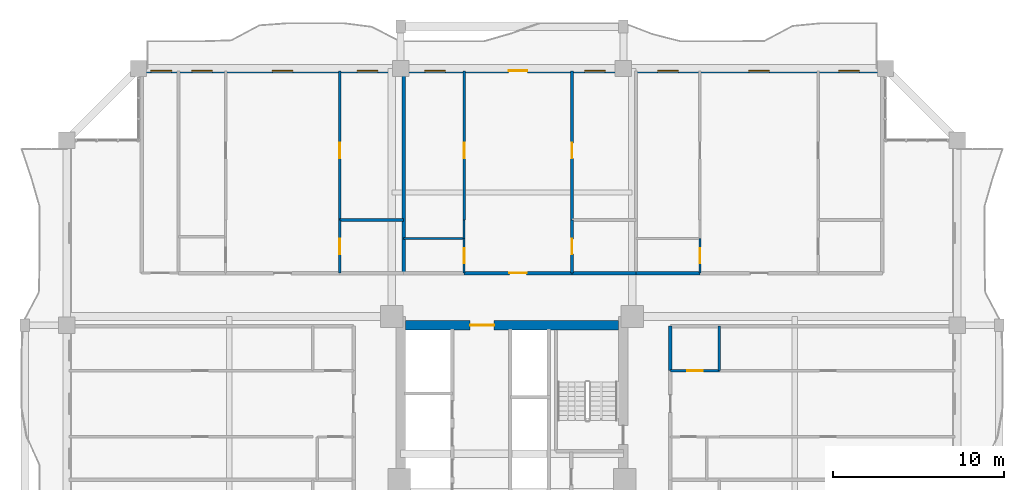
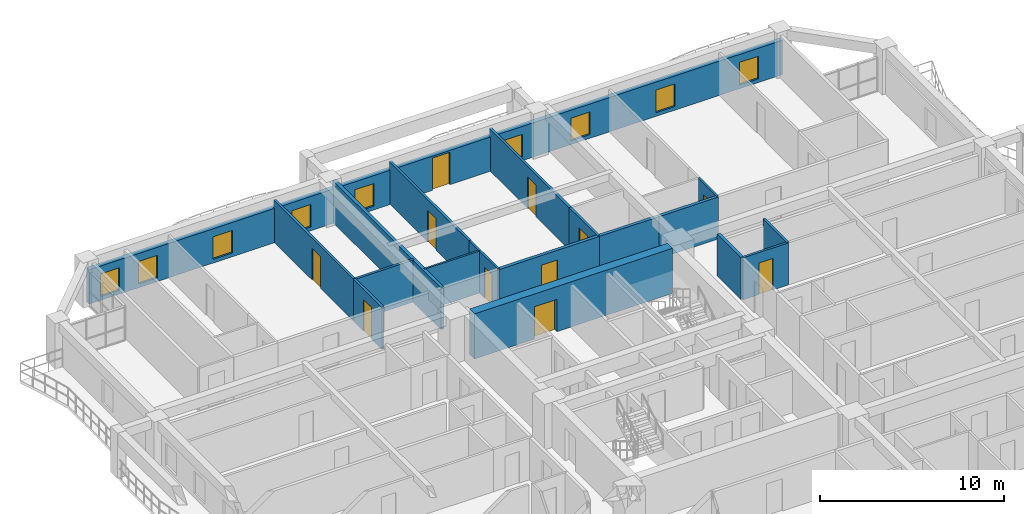
# One storey, part 19 of 25: 19 walls, 11 doors, 9 windows, 20 openings.
"""IFC4 building model written with IfcOpenShell, lengths in metres."""

from ifc_helpers import new_model, si_unit, direction, frame, frame_2d, origin, place, context, subcontext, project, spatial, rectangle, extrude, source, transform, mapped, material, layer, layer_set, type_object, element, fill, save


model = new_model("IFC4")

# Units and contexts
model_context = context("Model", 3, precision=1e-05, world=origin(), true_north=direction((0.0, 1.0)))
body_context = subcontext(model_context, "Body", "Model", "MODEL_VIEW")
ifc_project = project(units=[si_unit("LENGTHUNIT", "METRE"), si_unit("AREAUNIT", "SQUARE_METRE"), si_unit("VOLUMEUNIT", "CUBIC_METRE"), si_unit("PLANEANGLEUNIT", "RADIAN"), si_unit("MASSUNIT", "GRAM", prefix="KILO")], contexts=[model_context])

# Site, building, storey
site_placement = place(None, origin())
site = spatial("IfcSite", under=ifc_project, at=site_placement, CompositionType="ELEMENT")
building_placement = place(site_placement, origin())
building = spatial("IfcBuilding", under=site, at=building_placement, Name="Saelheon Loggia Tower", CompositionType="ELEMENT")
storey_placement = place(building_placement, frame((0.0, 0.0, 80.85009765625)))
storey = spatial("IfcBuildingStorey", under=building, at=storey_placement, Name="L25", CompositionType="ELEMENT", Elevation=80.85009765625)

# Wall, opening, door
ifc_material_1 = material(Name="Concrete C50/60", Category="concrete")
ifc_layer_1 = layer(ifc_material_1, 0.550048828125)
ifc_layer_set_1 = layer_set([ifc_layer_1], Name="Concrete C50/60")
wall_type_1 = type_object("IfcWallType", Name="Wall_CoreShear_550", PredefinedType="SHEAR", material=ifc_layer_set_1)
wall_1_placement = place(storey_placement, frame((31.77490234375, 36.0, 0.0), z_axis=(0.0, 0.0, 1.0), x_axis=(1.0, 0.0, 0.0)))
wall_1 = element("IfcWall", 1, at=wall_1_placement, inside=storey, type_object=wall_type_1, Name="L25 Core Shear Wall North", PredefinedType="SHEAR", context=body_context, shape_type="SweptSolid", body=[
    extrude(rectangle(XDim=12.4501953125, YDim=0.550048828125, at=frame_2d((6.22509765625, 0.0))), origin(), (0.0, 0.0, 1.0), 3.0),
])
opening_1_placement = place(wall_1_placement, frame((5.1748046875, 0.0, 0.0), z_axis=(0.0, 0.0, 1.0), x_axis=(-1.0, 0.0, 0.0)))
opening_1 = element("IfcOpeningElement", 2, at=opening_1_placement, cuts=wall_1, Name="Opening D-FD2L", PredefinedType="OPENING", context=body_context, shape_type="SweptSolid", body=[
    extrude(rectangle(XDim=1.39990234375, YDim=2.14990234375, at=frame_2d((0.699951171875, 1.074951171875))), frame((0.0, 0.287109375, 0.0), z_axis=(0.0, -1.0, 0.0), x_axis=(1.0, 0.0, 0.0)), (0.0, 0.0, 1.0), 0.573974609375),
])
ifc_material_2 = material(Name="Galvanised Steel Glazed Lobby Fire Door", Category="steel")
door_type_1 = type_object("IfcDoorType", Name="Door_Fire_FD60_1400", OperationType="NOTDEFINED", PredefinedType="DOOR", material=ifc_material_2)
shared_shape_1 = source(origin(), body_context, "Body", "SweptSolid", [
    extrude(rectangle(XDim=1.39990234375, YDim=2.14990234375, at=frame_2d((0.699951171875, 1.074951171875))), frame((0.0, 0.02490234375, 0.0), z_axis=(0.0, -1.0, 0.0), x_axis=(1.0, 0.0, 0.0)), (0.0, 0.0, 1.0), 0.050048828125),
])
door_1_placement = place(opening_1_placement, origin())
door_1 = element("IfcDoor", 3, at=door_1_placement, inside=storey, type_object=door_type_1, Name="L25 Passenger Lift Lobby Main Door", OperationType="SINGLE_SWING_RIGHT", OverallHeight=2.14990234375, OverallWidth=1.39990234375, PredefinedType="DOOR", context=body_context, shape_type="MappedRepresentation", body=[
    mapped(shared_shape_1, transform((0.0, 0.0, 0.0), scale=1.0)),
])
fill(opening_1, door_1)

# Wall, openings, windows, door
ifc_material_3 = material(Name="Architectural Precast Concrete C40/50", Category="concrete")
ifc_layer_2 = layer(ifc_material_3, 0.280029296875)
ifc_layer_set_2 = layer_set([ifc_layer_2], Name="Architectural Precast Concrete C40/50")
wall_type_2 = type_object("IfcWallType", Name="Wall_Ext_Loggia_280", PredefinedType="SOLIDWALL", material=ifc_layer_set_2)
wall_2_placement = place(storey_placement, frame((16.199951171875, 50.860107421875, 0.0), z_axis=(0.0, 0.0, 1.0), x_axis=(1.0, 0.0, 0.0)))
wall_2 = element("IfcWall", 4, at=wall_2_placement, inside=storey, type_object=wall_type_2, Name="L25 North Loggia Inner Wall", PredefinedType="SOLIDWALL", context=body_context, shape_type="SweptSolid", body=[
    extrude(rectangle(XDim=43.60009765625, YDim=0.280029296875, at=frame_2d((21.800048828125, 0.0))), origin(), (0.0, 0.0, 1.0), 2.27978515625),
])
opening_2_placement = place(wall_2_placement, frame((0.722412109375, 0.0, 0.25)))
opening_2 = element("IfcOpeningElement", 5, at=opening_2_placement, cuts=wall_2, Name="Opening WN-03", PredefinedType="OPENING", context=body_context, shape_type="SweptSolid", body=[
    extrude(rectangle(XDim=1.199951171875, YDim=1.5, at=frame_2d((0.60009765625, 0.75))), frame((0.0, 0.152099609375, 0.0), z_axis=(0.0, -1.0, 0.0), x_axis=(1.0, 0.0, 0.0)), (0.0, 0.0, 1.0), 0.303955078125),
])
opening_3_placement = place(wall_2_placement, frame((3.10498046875, 0.0, 0.25)))
opening_3 = element("IfcOpeningElement", 6, at=opening_3_placement, cuts=wall_2, Name="Opening WN-03", PredefinedType="OPENING", context=body_context, shape_type="SweptSolid", body=[
    extrude(rectangle(XDim=1.199951171875, YDim=1.5, at=frame_2d((0.60009765625, 0.75))), frame((0.0, 0.152099609375, 0.0), z_axis=(0.0, -1.0, 0.0), x_axis=(1.0, 0.0, 0.0)), (0.0, 0.0, 1.0), 0.303955078125),
])
opening_4_placement = place(wall_2_placement, frame((7.8115234375, 0.0, 0.25)))
opening_4 = element("IfcOpeningElement", 7, at=opening_4_placement, cuts=wall_2, Name="Opening WN-03", PredefinedType="OPENING", context=body_context, shape_type="SweptSolid", body=[
    extrude(rectangle(XDim=1.199951171875, YDim=1.5, at=frame_2d((0.60009765625, 0.75))), frame((0.0, 0.152099609375, 0.0), z_axis=(0.0, -1.0, 0.0), x_axis=(1.0, 0.0, 0.0)), (0.0, 0.0, 1.0), 0.303955078125),
])
opening_5_placement = place(wall_2_placement, frame((12.76416015625, 0.0, 0.25)))
opening_5 = element("IfcOpeningElement", 8, at=opening_5_placement, cuts=wall_2, Name="Opening WN-03", PredefinedType="OPENING", context=body_context, shape_type="SweptSolid", body=[
    extrude(rectangle(XDim=1.199951171875, YDim=1.5, at=frame_2d((0.60009765625, 0.75))), frame((0.0, 0.152099609375, 0.0), z_axis=(0.0, -1.0, 0.0), x_axis=(1.0, 0.0, 0.0)), (0.0, 0.0, 1.0), 0.303955078125),
])
opening_6_placement = place(wall_2_placement, frame((16.709716796875, 0.0, 0.25)))
opening_6 = element("IfcOpeningElement", 9, at=opening_6_placement, cuts=wall_2, Name="Opening WN-03", PredefinedType="OPENING", context=body_context, shape_type="SweptSolid", body=[
    extrude(rectangle(XDim=1.199951171875, YDim=1.5, at=frame_2d((0.60009765625, 0.75))), frame((0.0, 0.152099609375, 0.0), z_axis=(0.0, -1.0, 0.0), x_axis=(1.0, 0.0, 0.0)), (0.0, 0.0, 1.0), 0.303955078125),
])
opening_7_placement = place(wall_2_placement, frame((21.603515625, 0.0, 0.0)))
opening_7 = element("IfcOpeningElement", 10, at=opening_7_placement, cuts=wall_2, Name="Opening TD1", PredefinedType="OPENING", context=body_context, shape_type="SweptSolid", body=[
    extrude(rectangle(XDim=1.10009765625, YDim=2.14990234375, at=frame_2d((0.550048828125, 1.074951171875))), frame((0.0, 0.152099609375, 0.0), z_axis=(0.0, -1.0, 0.0), x_axis=(1.0, 0.0, 0.0)), (0.0, 0.0, 1.0), 0.303955078125),
])
opening_8_placement = place(wall_2_placement, frame((26.0439453125, 0.0, 0.25)))
opening_8 = element("IfcOpeningElement", 11, at=opening_8_placement, cuts=wall_2, Name="Opening WN-03", PredefinedType="OPENING", context=body_context, shape_type="SweptSolid", body=[
    extrude(rectangle(XDim=1.199951171875, YDim=1.5, at=frame_2d((0.60009765625, 0.75))), frame((0.0, 0.152099609375, 0.0), z_axis=(0.0, -1.0, 0.0), x_axis=(1.0, 0.0, 0.0)), (0.0, 0.0, 1.0), 0.303955078125),
])
opening_9_placement = place(wall_2_placement, frame((30.306396484375, 0.0, 0.25)))
opening_9 = element("IfcOpeningElement", 12, at=opening_9_placement, cuts=wall_2, Name="Opening WN-03", PredefinedType="OPENING", context=body_context, shape_type="SweptSolid", body=[
    extrude(rectangle(XDim=1.199951171875, YDim=1.5, at=frame_2d((0.60009765625, 0.75))), frame((0.0, 0.152099609375, 0.0), z_axis=(0.0, -1.0, 0.0), x_axis=(1.0, 0.0, 0.0)), (0.0, 0.0, 1.0), 0.303955078125),
])
opening_10_placement = place(wall_2_placement, frame((35.629150390625, 0.0, 0.25)))
opening_10 = element("IfcOpeningElement", 13, at=opening_10_placement, cuts=wall_2, Name="Opening WN-03", PredefinedType="OPENING", context=body_context, shape_type="SweptSolid", body=[
    extrude(rectangle(XDim=1.199951171875, YDim=1.5, at=frame_2d((0.60009765625, 0.75))), frame((0.0, 0.152099609375, 0.0), z_axis=(0.0, -1.0, 0.0), x_axis=(1.0, 0.0, 0.0)), (0.0, 0.0, 1.0), 0.303955078125),
])
opening_11_placement = place(wall_2_placement, frame((40.884765625, 0.0, 0.25)))
opening_11 = element("IfcOpeningElement", 14, at=opening_11_placement, cuts=wall_2, Name="Opening WN-03", PredefinedType="OPENING", context=body_context, shape_type="SweptSolid", body=[
    extrude(rectangle(XDim=1.199951171875, YDim=1.5, at=frame_2d((0.60009765625, 0.75))), frame((0.0, 0.152099609375, 0.0), z_axis=(0.0, -1.0, 0.0), x_axis=(1.0, 0.0, 0.0)), (0.0, 0.0, 1.0), 0.303955078125),
])
ifc_material_4 = material(Name="Thermal-Break Aluminium and Triple Low-E Glass", Category="aluminium")
window_type = type_object("IfcWindowType", Name="Win_Bedroom_1200x1500", PartitioningType="SINGLE_PANEL", PredefinedType="WINDOW", material=ifc_material_4)
shared_shape_2 = source(origin(), body_context, "Body", "SweptSolid", [
    extrude(rectangle(XDim=1.199951171875, YDim=1.5, at=frame_2d((0.60009765625, 0.75))), frame((0.0, 0.030029296875, 0.0), z_axis=(0.0, -1.0, 0.0), x_axis=(1.0, 0.0, 0.0)), (0.0, 0.0, 1.0), 0.06005859375),
])
window_1_placement = place(opening_2_placement, origin())
window_1 = element("IfcWindow", 15, at=window_1_placement, inside=storey, type_object=window_type, Name="L25 N Dwelling Window 1", OverallHeight=1.5, OverallWidth=1.199951171875, PartitioningType="SINGLE_PANEL", PredefinedType="WINDOW", context=body_context, shape_type="MappedRepresentation", body=[
    mapped(shared_shape_2, transform((0.0, 0.0, 0.0), scale=1.0)),
])
fill(opening_2, window_1)
window_2_placement = place(opening_3_placement, origin())
window_2 = element("IfcWindow", 16, at=window_2_placement, inside=storey, type_object=window_type, Name="L25 N Dwelling Window 2", OverallHeight=1.5, OverallWidth=1.199951171875, PartitioningType="SINGLE_PANEL", PredefinedType="WINDOW", context=body_context, shape_type="MappedRepresentation", body=[
    mapped(shared_shape_2, transform((0.0, 0.0, 0.0), scale=1.0)),
])
fill(opening_3, window_2)
window_3_placement = place(opening_4_placement, origin())
window_3 = element("IfcWindow", 17, at=window_3_placement, inside=storey, type_object=window_type, Name="L25 N Dwelling Window 3", OverallHeight=1.5, OverallWidth=1.199951171875, PartitioningType="SINGLE_PANEL", PredefinedType="WINDOW", context=body_context, shape_type="MappedRepresentation", body=[
    mapped(shared_shape_2, transform((0.0, 0.0, 0.0), scale=1.0)),
])
fill(opening_4, window_3)
window_4_placement = place(opening_5_placement, origin())
window_4 = element("IfcWindow", 18, at=window_4_placement, inside=storey, type_object=window_type, Name="L25 N Dwelling Window 4", OverallHeight=1.5, OverallWidth=1.199951171875, PartitioningType="SINGLE_PANEL", PredefinedType="WINDOW", context=body_context, shape_type="MappedRepresentation", body=[
    mapped(shared_shape_2, transform((0.0, 0.0, 0.0), scale=1.0)),
])
fill(opening_5, window_4)
window_5_placement = place(opening_6_placement, origin())
window_5 = element("IfcWindow", 19, at=window_5_placement, inside=storey, type_object=window_type, Name="L25 N Dwelling Window 5", OverallHeight=1.5, OverallWidth=1.199951171875, PartitioningType="SINGLE_PANEL", PredefinedType="WINDOW", context=body_context, shape_type="MappedRepresentation", body=[
    mapped(shared_shape_2, transform((0.0, 0.0, 0.0), scale=1.0)),
])
fill(opening_6, window_5)
window_6_placement = place(opening_8_placement, origin())
window_6 = element("IfcWindow", 20, at=window_6_placement, inside=storey, type_object=window_type, Name="L25 N Dwelling Window 7", OverallHeight=1.5, OverallWidth=1.199951171875, PartitioningType="SINGLE_PANEL", PredefinedType="WINDOW", context=body_context, shape_type="MappedRepresentation", body=[
    mapped(shared_shape_2, transform((0.0, 0.0, 0.0), scale=1.0)),
])
fill(opening_8, window_6)
window_7_placement = place(opening_9_placement, origin())
window_7 = element("IfcWindow", 21, at=window_7_placement, inside=storey, type_object=window_type, Name="L25 N Dwelling Window 8", OverallHeight=1.5, OverallWidth=1.199951171875, PartitioningType="SINGLE_PANEL", PredefinedType="WINDOW", context=body_context, shape_type="MappedRepresentation", body=[
    mapped(shared_shape_2, transform((0.0, 0.0, 0.0), scale=1.0)),
])
fill(opening_9, window_7)
window_8_placement = place(opening_10_placement, origin())
window_8 = element("IfcWindow", 22, at=window_8_placement, inside=storey, type_object=window_type, Name="L25 N Dwelling Window 9", OverallHeight=1.5, OverallWidth=1.199951171875, PartitioningType="SINGLE_PANEL", PredefinedType="WINDOW", context=body_context, shape_type="MappedRepresentation", body=[
    mapped(shared_shape_2, transform((0.0, 0.0, 0.0), scale=1.0)),
])
fill(opening_10, window_8)
window_9_placement = place(opening_11_placement, origin())
window_9 = element("IfcWindow", 23, at=window_9_placement, inside=storey, type_object=window_type, Name="L25 N Dwelling Window 10", OverallHeight=1.5, OverallWidth=1.199951171875, PartitioningType="SINGLE_PANEL", PredefinedType="WINDOW", context=body_context, shape_type="MappedRepresentation", body=[
    mapped(shared_shape_2, transform((0.0, 0.0, 0.0), scale=1.0)),
])
fill(opening_11, window_9)
ifc_material_5 = material(Name="Thermal-Break Aluminium Glazed Door", Category="aluminium")
door_type_2 = type_object("IfcDoorType", Name="Door_Terrace_TD1", OperationType="NOTDEFINED", PredefinedType="DOOR", material=ifc_material_5)
shared_shape_3 = source(origin(), body_context, "Body", "SweptSolid", [
    extrude(rectangle(XDim=1.10009765625, YDim=2.14990234375, at=frame_2d((0.550048828125, 1.074951171875))), frame((0.0, 0.02490234375, 0.0), z_axis=(0.0, -1.0, 0.0), x_axis=(1.0, 0.0, 0.0)), (0.0, 0.0, 1.0), 0.050048828125),
])
door_2_placement = place(opening_7_placement, origin())
door_2 = element("IfcDoor", 24, at=door_2_placement, inside=storey, type_object=door_type_2, Name="L25 N Loggia Access Door", OperationType="SINGLE_SWING_RIGHT", OverallHeight=2.14990234375, OverallWidth=1.10009765625, PredefinedType="DOOR", context=body_context, shape_type="MappedRepresentation", body=[
    mapped(shared_shape_3, transform((0.0, 0.0, 0.0), scale=1.0)),
])
fill(opening_7, door_2)

# Wall
ifc_material_6 = material(Name="Lightweight Autoclaved Aerated Concrete Block and Acoustic Gypsum", Category="concrete")
ifc_layer_3 = layer(ifc_material_6, 0.14990234375)
ifc_layer_set_3 = layer_set([ifc_layer_3], Name="Lightweight Autoclaved Aerated Concrete Block and Acoustic Gypsum")
wall_type_3 = type_object("IfcWallType", Name="Wall_Part_150", PredefinedType="PARTITIONING", material=ifc_layer_set_3)
wall_3_placement = place(storey_placement, frame((27.943115234375, 42.14990234375, 0.0), z_axis=(0.0, 0.0, 1.0), x_axis=(1.0, 0.0, 0.0)))
element("IfcWall", 25, at=wall_3_placement, inside=storey, type_object=wall_type_3, Name="L25 N Partition V09", PredefinedType="PARTITIONING", context=body_context, shape_type="SweptSolid", body=[
    extrude(rectangle(XDim=3.735595703125, YDim=0.14990234375, at=frame_2d((1.86767578125, 0.0))), origin(), (0.0, 0.0, 1.0), 2.789794921875),
])

# Wall, opening, door
wall_4_placement = place(storey_placement, frame((27.943115234375, 39.050048828125, 0.0), z_axis=(0.0, 0.0, 1.0), x_axis=(0.0, 1.0, 0.0)))
wall_4 = element("IfcWall", 26, at=wall_4_placement, inside=storey, type_object=wall_type_3, Name="L25 N Partition U13", PredefinedType="PARTITIONING", context=body_context, shape_type="SweptSolid", body=[
    extrude(rectangle(XDim=3.099853515625, YDim=0.14990234375, at=frame_2d((1.5498046875, 0.0))), origin(), (0.0, 0.0, 1.0), 2.789794921875),
])
opening_12_placement = place(wall_4_placement, frame((1.10009765625, 0.0, 0.0)))
opening_12 = element("IfcOpeningElement", 27, at=opening_12_placement, cuts=wall_4, Name="Opening D-IN2", PredefinedType="OPENING", context=body_context, shape_type="SweptSolid", body=[
    extrude(rectangle(XDim=0.89990234375, YDim=2.10009765625, at=frame_2d((0.449951171875, 1.050048828125))), frame((0.0, 0.0869140625, 0.0), z_axis=(0.0, -1.0, 0.0), x_axis=(1.0, 0.0, 0.0)), (0.0, 0.0, 1.0), 0.173828125),
])
ifc_material_7 = material(Name="Engineered Oak Flush Door", Category="timber")
door_type_3 = type_object("IfcDoorType", Name="Door_Int_900", OperationType="NOTDEFINED", PredefinedType="DOOR", material=ifc_material_7)
shared_shape_4 = source(origin(), body_context, "Body", "SweptSolid", [
    extrude(rectangle(XDim=0.89990234375, YDim=2.10009765625, at=frame_2d((0.449951171875, 1.050048828125))), frame((0.0, 0.02490234375, 0.0), z_axis=(0.0, -1.0, 0.0), x_axis=(1.0, 0.0, 0.0)), (0.0, 0.0, 1.0), 0.050048828125),
])
door_3_placement = place(opening_12_placement, origin())
door_3 = element("IfcDoor", 28, at=door_3_placement, inside=storey, type_object=door_type_3, Name="Unit U05 Private Study Door", OperationType="SINGLE_SWING_LEFT", OverallHeight=2.10009765625, OverallWidth=0.89990234375, PredefinedType="DOOR", context=body_context, shape_type="MappedRepresentation", body=[
    mapped(shared_shape_4, transform((0.0, 0.0, 0.0), scale=1.0)),
])
fill(opening_12, door_3)

wall_5_placement = place(storey_placement, frame((27.943115234375, 42.14990234375, 0.0), z_axis=(0.0, 0.0, 1.0), x_axis=(0.0, 1.0, 0.0)))
wall_5 = element("IfcWall", 29, at=wall_5_placement, inside=storey, type_object=wall_type_3, Name="L25 N Partition U14", PredefinedType="PARTITIONING", context=body_context, shape_type="SweptSolid", body=[
    extrude(rectangle(XDim=8.7001953125, YDim=0.14990234375, at=frame_2d((4.35009765625, 0.0))), origin(), (0.0, 0.0, 1.0), 2.789794921875),
])
opening_13_placement = place(wall_5_placement, frame((3.594970703125, 0.0, 0.0)))
opening_13 = element("IfcOpeningElement", 30, at=opening_13_placement, cuts=wall_5, Name="Opening D-IN2", PredefinedType="OPENING", context=body_context, shape_type="SweptSolid", body=[
    extrude(rectangle(XDim=0.89990234375, YDim=2.10009765625, at=frame_2d((0.449951171875, 1.050048828125))), frame((0.0, 0.0869140625, 0.0), z_axis=(0.0, -1.0, 0.0), x_axis=(1.0, 0.0, 0.0)), (0.0, 0.0, 1.0), 0.173828125),
])
door_4_placement = place(opening_13_placement, origin())
door_4 = element("IfcDoor", 31, at=door_4_placement, inside=storey, type_object=door_type_3, Name="Unit U05 Bedroom 1 Door", OperationType="SINGLE_SWING_RIGHT", OverallHeight=2.10009765625, OverallWidth=0.89990234375, PredefinedType="DOOR", context=body_context, shape_type="MappedRepresentation", body=[
    mapped(shared_shape_4, transform((0.0, 0.0, 0.0), scale=1.0)),
])
fill(opening_13, door_4)

wall_6_placement = place(storey_placement, frame((35.204345703125, 42.14990234375, 0.0), z_axis=(0.0, 0.0, 1.0), x_axis=(0.0, 1.0, 0.0)))
wall_6 = element("IfcWall", 32, at=wall_6_placement, inside=storey, type_object=wall_type_3, Name="L25 N Partition U23", PredefinedType="PARTITIONING", context=body_context, shape_type="SweptSolid", body=[
    extrude(rectangle(XDim=8.7001953125, YDim=0.14990234375, at=frame_2d((4.35009765625, 0.0))), origin(), (0.0, 0.0, 1.0), 2.789794921875),
])
opening_14_placement = place(wall_6_placement, frame((3.594970703125, 0.0, 0.0)))
opening_14 = element("IfcOpeningElement", 33, at=opening_14_placement, cuts=wall_6, Name="Opening D-IN2", PredefinedType="OPENING", context=body_context, shape_type="SweptSolid", body=[
    extrude(rectangle(XDim=0.89990234375, YDim=2.10009765625, at=frame_2d((0.449951171875, 1.050048828125))), frame((0.0, 0.0869140625, 0.0), z_axis=(0.0, -1.0, 0.0), x_axis=(1.0, 0.0, 0.0)), (0.0, 0.0, 1.0), 0.173828125),
])
door_5_placement = place(opening_14_placement, origin())
door_5 = element("IfcDoor", 34, at=door_5_placement, inside=storey, type_object=door_type_3, Name="Unit U06 Bedroom 2 Door", OperationType="SINGLE_SWING_LEFT", OverallHeight=2.10009765625, OverallWidth=0.89990234375, PredefinedType="DOOR", context=body_context, shape_type="MappedRepresentation", body=[
    mapped(shared_shape_4, transform((0.0, 0.0, 0.0), scale=1.0)),
])
fill(opening_14, door_5)

wall_7_placement = place(storey_placement, frame((41.5029296875, 39.050048828125, 0.0), z_axis=(0.0, 0.0, 1.0), x_axis=(0.0, 1.0, 0.0)))
wall_7 = element("IfcWall", 35, at=wall_7_placement, inside=storey, type_object=wall_type_3, Name="L25 N Partition U24", PredefinedType="PARTITIONING", context=body_context, shape_type="SweptSolid", body=[
    extrude(rectangle(XDim=3.099853515625, YDim=0.14990234375, at=frame_2d((1.5498046875, 0.0))), origin(), (0.0, 0.0, 1.0), 2.789794921875),
])
opening_15_placement = place(wall_7_placement, frame((1.10009765625, 0.0, 0.0)))
opening_15 = element("IfcOpeningElement", 36, at=opening_15_placement, cuts=wall_7, Name="Opening D-IN2", PredefinedType="OPENING", context=body_context, shape_type="SweptSolid", body=[
    extrude(rectangle(XDim=0.89990234375, YDim=2.10009765625, at=frame_2d((0.449951171875, 1.050048828125))), frame((0.0, 0.0869140625, 0.0), z_axis=(0.0, -1.0, 0.0), x_axis=(1.0, 0.0, 0.0)), (0.0, 0.0, 1.0), 0.173828125),
])
door_6_placement = place(opening_15_placement, origin())
door_6 = element("IfcDoor", 37, at=door_6_placement, inside=storey, type_object=door_type_3, Name="Unit U06 Kitchen Door", OperationType="SINGLE_SWING_RIGHT", OverallHeight=2.10009765625, OverallWidth=0.89990234375, PredefinedType="DOOR", context=body_context, shape_type="MappedRepresentation", body=[
    mapped(shared_shape_4, transform((0.0, 0.0, 0.0), scale=1.0)),
])
fill(opening_15, door_6)

wall_8_placement = place(storey_placement, frame((41.5029296875, 42.14990234375, 0.0), z_axis=(0.0, 0.0, 1.0), x_axis=(0.0, 1.0, 0.0)))
wall_8 = element("IfcWall", 38, at=wall_8_placement, inside=storey, type_object=wall_type_3, Name="L25 N Partition U25", PredefinedType="PARTITIONING", context=body_context, shape_type="SweptSolid", body=[
    extrude(rectangle(XDim=8.7001953125, YDim=0.14990234375, at=frame_2d((4.35009765625, 0.0))), origin(), (0.0, 0.0, 1.0), 2.789794921875),
])
opening_16_placement = place(wall_8_placement, frame((3.594970703125, 0.0, 0.0)))
opening_16 = element("IfcOpeningElement", 39, at=opening_16_placement, cuts=wall_8, Name="Opening D-IN2", PredefinedType="OPENING", context=body_context, shape_type="SweptSolid", body=[
    extrude(rectangle(XDim=0.89990234375, YDim=2.10009765625, at=frame_2d((0.449951171875, 1.050048828125))), frame((0.0, 0.0869140625, 0.0), z_axis=(0.0, -1.0, 0.0), x_axis=(1.0, 0.0, 0.0)), (0.0, 0.0, 1.0), 0.173828125),
])
door_7_placement = place(opening_16_placement, origin())
door_7 = element("IfcDoor", 40, at=door_7_placement, inside=storey, type_object=door_type_3, Name="Unit U06 Bedroom 1 Door", OperationType="SINGLE_SWING_LEFT", OverallHeight=2.10009765625, OverallWidth=0.89990234375, PredefinedType="DOOR", context=body_context, shape_type="MappedRepresentation", body=[
    mapped(shared_shape_4, transform((0.0, 0.0, 0.0), scale=1.0)),
])
fill(opening_16, door_7)

# Wall
wall_9_placement = place(storey_placement, frame((50.110107421875, 33.35009765625, 0.0), z_axis=(0.0, 0.0, 1.0), x_axis=(0.0, 1.0, 0.0)))
element("IfcWall", 41, at=wall_9_placement, inside=storey, type_object=wall_type_3, Name="L25 E Partition V18", PredefinedType="PARTITIONING", context=body_context, shape_type="SweptSolid", body=[
    extrude(rectangle(XDim=2.599853515625, YDim=0.14990234375, at=frame_2d((1.2998046875, 0.0))), origin(), (0.0, 0.0, 1.0), 2.789794921875),
])

# Wall, opening, door
wall_10_placement = place(storey_placement, frame((47.25, 33.35009765625, 0.0), z_axis=(0.0, 0.0, 1.0), x_axis=(1.0, 0.0, 0.0)))
wall_10 = element("IfcWall", 42, at=wall_10_placement, inside=storey, type_object=wall_type_3, Name="L25 E Partition U22", PredefinedType="PARTITIONING", context=body_context, shape_type="SweptSolid", body=[
    extrude(rectangle(XDim=2.860107421875, YDim=0.14990234375, at=frame_2d((1.43017578125, 0.0))), origin(), (0.0, 0.0, 1.0), 2.789794921875),
])
opening_17_placement = place(wall_10_placement, frame((0.97998046875, 0.0, 0.0)))
opening_17 = element("IfcOpeningElement", 43, at=opening_17_placement, cuts=wall_10, Name="Opening D-IN2", PredefinedType="OPENING", context=body_context, shape_type="SweptSolid", body=[
    extrude(rectangle(XDim=0.89990234375, YDim=2.10009765625, at=frame_2d((0.449951171875, 1.050048828125))), frame((0.0, 0.0869140625, 0.0), z_axis=(0.0, -1.0, 0.0), x_axis=(1.0, 0.0, 0.0)), (0.0, 0.0, 1.0), 0.173828125),
])
door_8_placement = place(opening_17_placement, origin())
door_8 = element("IfcDoor", 44, at=door_8_placement, inside=storey, type_object=door_type_3, Name="Unit U11 Dressing Closet Door", OperationType="SINGLE_SWING_LEFT", OverallHeight=2.10009765625, OverallWidth=0.89990234375, PredefinedType="DOOR", context=body_context, shape_type="MappedRepresentation", body=[
    mapped(shared_shape_4, transform((0.0, 0.0, 0.0), scale=1.0)),
])
fill(opening_17, door_8)

# Wall
ifc_material_8 = material(Name="Double Acoustic Stud and Fireboard Partition", Category="gypsum")
ifc_layer_4 = layer(ifc_material_8, 0.199951171875)
ifc_layer_set_4 = layer_set([ifc_layer_4], Name="Double Acoustic Stud and Fireboard Partition")
wall_type_4 = type_object("IfcWallType", Name="Wall_Party_200", PredefinedType="PARTITIONING", material=ifc_layer_set_4)
wall_11_placement = place(storey_placement, frame((31.6787109375, 39.050048828125, 0.0), z_axis=(0.0, 0.0, 1.0), x_axis=(0.0, 1.0, 0.0)))
element("IfcWall", 45, at=wall_11_placement, inside=storey, type_object=wall_type_4, Name="L25 N Partition U15", PredefinedType="PARTITIONING", context=body_context, shape_type="SweptSolid", body=[
    extrude(rectangle(XDim=11.800048828125, YDim=0.199951171875, at=frame_2d((5.89990234375, 0.0))), origin(), (0.0, 0.0, 1.0), 2.789794921875),
])

# Wall, opening, door
wall_12_placement = place(storey_placement, frame((35.204345703125, 39.050048828125, 0.0), z_axis=(0.0, 0.0, 1.0), x_axis=(1.0, 0.0, 0.0)))
wall_12 = element("IfcWall", 46, at=wall_12_placement, inside=storey, type_object=wall_type_4, Name="L25 N Partition V17", PredefinedType="PARTITIONING", context=body_context, shape_type="SweptSolid", body=[
    extrude(rectangle(XDim=6.298583984375, YDim=0.199951171875, at=frame_2d((3.1494140625, 0.0))), origin(), (0.0, 0.0, 1.0), 2.789794921875),
])
opening_18_placement = place(wall_12_placement, frame((2.6494140625, 0.0, 0.0)))
opening_18 = element("IfcOpeningElement", 47, at=opening_18_placement, cuts=wall_12, Name="Opening D-FD1", PredefinedType="OPENING", context=body_context, shape_type="SweptSolid", body=[
    extrude(rectangle(XDim=1.0, YDim=2.14990234375, at=frame_2d((0.5, 1.074951171875))), frame((0.0, 0.112060546875, 0.0), z_axis=(0.0, -1.0, 0.0), x_axis=(1.0, 0.0, 0.0)), (0.0, 0.0, 1.0), 0.223876953125),
])
ifc_material_9 = material(Name="Fire-Rated Engineered Timber Entrance Door", Category="wood")
door_type_4 = type_object("IfcDoorType", Name="Door_Flat_FD30S", OperationType="NOTDEFINED", PredefinedType="DOOR", material=ifc_material_9)
shared_shape_5 = source(origin(), body_context, "Body", "SweptSolid", [
    extrude(rectangle(XDim=1.0, YDim=2.14990234375, at=frame_2d((0.5, 1.074951171875))), frame((0.0, 0.02490234375, 0.0), z_axis=(0.0, -1.0, 0.0), x_axis=(1.0, 0.0, 0.0)), (0.0, 0.0, 1.0), 0.050048828125),
])
door_9_placement = place(opening_18_placement, origin())
door_9 = element("IfcDoor", 48, at=door_9_placement, inside=storey, type_object=door_type_4, Name="Unit U06 Entrance Door", OperationType="SINGLE_SWING_LEFT", OverallHeight=2.14990234375, OverallWidth=1.0, PredefinedType="DOOR", context=body_context, shape_type="MappedRepresentation", body=[
    mapped(shared_shape_5, transform((0.0, 0.0, 0.0), scale=1.0)),
])
fill(opening_18, door_9)

# Walls
for number, where, z_axis, x_axis, name in (
    (49, (41.5029296875, 39.050048828125, 0.0), (0.0, 0.0, 1.0), (1.0, 0.0, 0.0), "L25 N Partition V18"),
    (50, (45.238525390625, 39.050048828125, 0.0), (0.0, 0.0, 1.0), (1.0, 0.0, 0.0), "L25 N Partition V27"),
):
    element("IfcWall", number, at=place(storey_placement, frame(where, z_axis=z_axis, x_axis=x_axis)), inside=storey, type_object=wall_type_4, Name=name, PredefinedType="PARTITIONING", context=body_context, shape_type="SweptSolid", body=[
        extrude(rectangle(XDim=3.735595703125, YDim=0.199951171875, at=frame_2d((1.86767578125, 0.0))), origin(), (0.0, 0.0, 1.0), 2.789794921875),
    ])
wall_13_placement = place(storey_placement, frame((47.25, 33.35009765625, 0.0), z_axis=(0.0, 0.0, 1.0), x_axis=(0.0, 1.0, 0.0)))
element("IfcWall", 51, at=wall_13_placement, inside=storey, type_object=wall_type_4, Name="L25 E Partition V16", PredefinedType="PARTITIONING", context=body_context, shape_type="SweptSolid", body=[
    extrude(rectangle(XDim=2.599853515625, YDim=0.199951171875, at=frame_2d((1.2998046875, 0.0))), origin(), (0.0, 0.0, 1.0), 2.789794921875),
])
ifc_material_10 = material(Name="Moisture-Resistant Cement Board Partition", Category="gypsum")
ifc_layer_5 = layer(ifc_material_10, 0.1201171875)
ifc_layer_set_5 = layer_set([ifc_layer_5], Name="Moisture-Resistant Cement Board Partition")
wall_type_5 = type_object("IfcWallType", Name="Wall_WetPart_120", PredefinedType="PARTITIONING", material=ifc_layer_set_5)
wall_14_placement = place(storey_placement, frame((31.6787109375, 41.070068359375, 0.0), z_axis=(0.0, 0.0, 1.0), x_axis=(1.0, 0.0, 0.0)))
element("IfcWall", 52, at=wall_14_placement, inside=storey, type_object=wall_type_5, Name="L25 N Partition V19", PredefinedType="PARTITIONING", context=body_context, shape_type="SweptSolid", body=[
    extrude(rectangle(XDim=3.525634765625, YDim=0.1201171875, at=frame_2d((1.7626953125, 0.0))), origin(), (0.0, 0.0, 1.0), 2.789794921875),
])

# Wall, opening, door
wall_15_placement = place(storey_placement, frame((35.204345703125, 39.050048828125, 0.0), z_axis=(0.0, 0.0, 1.0), x_axis=(0.0, 1.0, 0.0)))
wall_15 = element("IfcWall", 53, at=wall_15_placement, inside=storey, type_object=wall_type_5, Name="L25 N Partition U21", PredefinedType="PARTITIONING", context=body_context, shape_type="SweptSolid", body=[
    extrude(rectangle(XDim=2.02001953125, YDim=0.1201171875, at=frame_2d((1.010009765625, 0.0))), origin(), (0.0, 0.0, 1.0), 2.789794921875),
])
opening_19_placement = place(wall_15_placement, frame((0.5849609375, 0.0, 0.0)))
opening_19 = element("IfcOpeningElement", 54, at=opening_19_placement, cuts=wall_15, Name="Opening D-BT1", PredefinedType="OPENING", context=body_context, shape_type="SweptSolid", body=[
    extrude(rectangle(XDim=0.85009765625, YDim=2.050048828125, at=frame_2d((0.425048828125, 1.02490234375))), frame((0.0, 0.072021484375, 0.0), z_axis=(0.0, -1.0, 0.0), x_axis=(1.0, 0.0, 0.0)), (0.0, 0.0, 1.0), 0.14404296875),
])
ifc_material_11 = material(Name="Moisture-Resistant Laminate Timber Door", Category="wood")
door_type_5 = type_object("IfcDoorType", Name="Door_Bath_850", OperationType="NOTDEFINED", PredefinedType="DOOR", material=ifc_material_11)
shared_shape_6 = source(origin(), body_context, "Body", "SweptSolid", [
    extrude(rectangle(XDim=0.85009765625, YDim=2.050048828125, at=frame_2d((0.425048828125, 1.02490234375))), frame((0.0, 0.02490234375, 0.0), z_axis=(0.0, -1.0, 0.0), x_axis=(1.0, 0.0, 0.0)), (0.0, 0.0, 1.0), 0.050048828125),
])
door_10_placement = place(opening_19_placement, origin())
door_10 = element("IfcDoor", 55, at=door_10_placement, inside=storey, type_object=door_type_5, Name="Unit U06 Bathroom Door", OperationType="SINGLE_SWING_RIGHT", OverallHeight=2.050048828125, OverallWidth=0.85009765625, PredefinedType="DOOR", context=body_context, shape_type="MappedRepresentation", body=[
    mapped(shared_shape_6, transform((0.0, 0.0, 0.0), scale=1.0)),
])
fill(opening_19, door_10)

# Wall
wall_16_placement = place(storey_placement, frame((35.204345703125, 41.070068359375, 0.0), z_axis=(0.0, 0.0, 1.0), x_axis=(0.0, 1.0, 0.0)))
element("IfcWall", 56, at=wall_16_placement, inside=storey, type_object=wall_type_5, Name="L25 N Partition U22", PredefinedType="PARTITIONING", context=body_context, shape_type="SweptSolid", body=[
    extrude(rectangle(XDim=1.079833984375, YDim=0.1201171875, at=frame_2d((0.5400390625, 0.0))), origin(), (0.0, 0.0, 1.0), 2.789794921875),
])

# Wall, opening, door
wall_17_placement = place(storey_placement, frame((48.97412109375, 39.050048828125, 0.0), z_axis=(0.0, 0.0, 1.0), x_axis=(0.0, 1.0, 0.0)))
wall_17 = element("IfcWall", 57, at=wall_17_placement, inside=storey, type_object=wall_type_5, Name="L25 N Partition U32", PredefinedType="PARTITIONING", context=body_context, shape_type="SweptSolid", body=[
    extrude(rectangle(XDim=2.02001953125, YDim=0.1201171875, at=frame_2d((1.010009765625, 0.0))), origin(), (0.0, 0.0, 1.0), 2.789794921875),
])
opening_20_placement = place(wall_17_placement, frame((0.5849609375, 0.0, 0.0)))
opening_20 = element("IfcOpeningElement", 58, at=opening_20_placement, cuts=wall_17, Name="Opening D-BT1", PredefinedType="OPENING", context=body_context, shape_type="SweptSolid", body=[
    extrude(rectangle(XDim=0.85009765625, YDim=2.050048828125, at=frame_2d((0.425048828125, 1.02490234375))), frame((0.0, 0.072021484375, 0.0), z_axis=(0.0, -1.0, 0.0), x_axis=(1.0, 0.0, 0.0)), (0.0, 0.0, 1.0), 0.14404296875),
])
door_11_placement = place(opening_20_placement, origin())
door_11 = element("IfcDoor", 59, at=door_11_placement, inside=storey, type_object=door_type_5, Name="Unit U07 Bathroom Door", OperationType="SINGLE_SWING_LEFT", OverallHeight=2.050048828125, OverallWidth=0.85009765625, PredefinedType="DOOR", context=body_context, shape_type="MappedRepresentation", body=[
    mapped(shared_shape_6, transform((0.0, 0.0, 0.0), scale=1.0)),
])
fill(opening_20, door_11)

save(model, "model.ifc")
